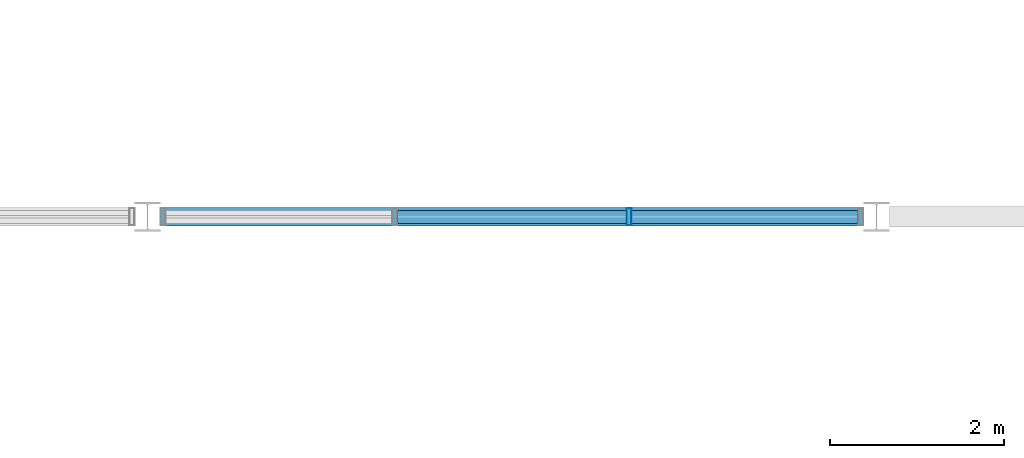
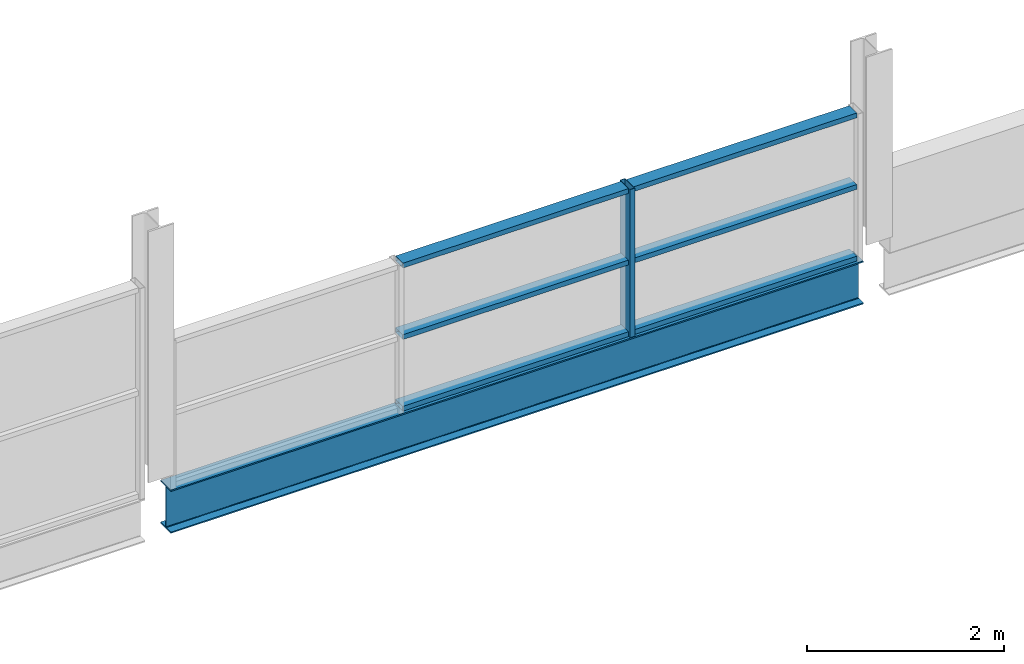
# One storey, part 15 of 43: 7 members, 1 beam, 1 element without a shape of its own.
"""IFC4 building model written with IfcOpenShell, lengths in metres."""

from ifc_helpers import new_model, si_unit, direction, frame, origin, origin_2d, place, context, subcontext, project, spatial, hollow_rectangle, i_section, extrude, material, material_profile, profile_set, type_object, element, aggregate, save


model = new_model("IFC4")

# Units and contexts
model_context = context("Model", 3, precision=1e-05, world=origin(), true_north=direction((0.0, 1.0)))
body_context = subcontext(model_context, "Body", "Model", "MODEL_VIEW")
ifc_project = project(units=[si_unit("LENGTHUNIT", "METRE"), si_unit("AREAUNIT", "SQUARE_METRE"), si_unit("VOLUMEUNIT", "CUBIC_METRE"), si_unit("PLANEANGLEUNIT", "RADIAN"), si_unit("MASSUNIT", "GRAM", prefix="KILO"), si_unit("THERMODYNAMICTEMPERATUREUNIT", "KELVIN")], contexts=[model_context])

# Site, building, storey
site_placement = place(None, origin())
site = spatial("IfcSite", under=ifc_project, at=site_placement, CompositionType="ELEMENT")
building_placement = place(site_placement, origin())
building = spatial("IfcBuilding", under=site, at=building_placement, Name="Nduvali Passage Aquatics Centre", CompositionType="ELEMENT")
storey_placement = place(building_placement, frame((0.0, 0.0, 17.39990234375)))
storey = spatial("IfcBuildingStorey", under=building, at=storey_placement, Name="L04", CompositionType="ELEMENT", Elevation=17.39990234375)

# Curtain wall, members
ifc_material_1 = material(Name="Aluminium EN AW-6063 T6", Category="aluminium")
curtain_wall_type = type_object("IfcCurtainWallType", Name="ENV-CW-DIVE", PredefinedType="NOTDEFINED", material=ifc_material_1)
curtain_wall_placement = place(storey_placement, origin())
curtain_wall = element("IfcCurtainWall", 1, at=curtain_wall_placement, inside=storey, type_object=curtain_wall_type, Name="L04 Diving Upper Mid Clerestory CW 162", PredefinedType="NOTDEFINED")
ifc_material_profile_1 = material_profile(ifc_material_1, hollow_rectangle(XDim=0.06005859375, YDim=0.199951171875, WallThickness=0.00390625, at=origin_2d()), Name="ALU MULLION 60x200x4")
ifc_profile_set_1 = profile_set([ifc_material_profile_1], Name="Aluminium EN AW-6063 T6")
member_type_1 = type_object("IfcMemberType", Name="ENV-MEM-MUL80", PredefinedType="MULLION", material=ifc_profile_set_1)
member_1_placement = place(storey_placement, frame((13.949951171875, 84.0, -0.22998046875), z_axis=(0.0, 0.0, 1.0), x_axis=(1.0, 0.0, 0.0)))
member_1 = element("IfcMember", 2, at=member_1_placement, type_object=member_type_1, Name="Diving Upper Mid Clerestory CW Mullion 3", PredefinedType="MULLION", context=body_context, shape_type="SweptSolid", body=[
    extrude(hollow_rectangle(XDim=0.06005859375, YDim=0.199951171875, WallThickness=0.00390625, at=origin_2d()), origin(), (0.0, 0.0, 1.0), 1.830078125),
])
ifc_material_profile_2 = material_profile(ifc_material_1, hollow_rectangle(XDim=0.14990234375, YDim=0.06005859375, WallThickness=0.00390625, at=origin_2d()), Name="ALU TRANSOM 150x60x4")
ifc_profile_set_2 = profile_set([ifc_material_profile_2], Name="Aluminium EN AW-6063 T6")
member_type_2 = type_object("IfcMemberType", Name="ENV-MEM-TRN80", PredefinedType="USERDEFINED", material=ifc_profile_set_2)
member_2_placement = place(storey_placement, frame((11.280029296875, 84.0, -0.199951171875), z_axis=(1.0, 0.0, 0.0), x_axis=(0.0, 1.0, 0.0)))
member_2 = element("IfcMember", 3, at=member_2_placement, type_object=member_type_2, Name="Diving Upper Mid Clerestory CW Transom B2-R0", ObjectType="TRANSOM", PredefinedType="USERDEFINED", context=body_context, shape_type="SweptSolid", body=[
    extrude(hollow_rectangle(XDim=0.14990234375, YDim=0.06005859375, WallThickness=0.00390625, at=origin_2d()), origin(), (0.0, 0.0, 1.0), 2.639892578125),
])
member_3_placement = place(storey_placement, frame((11.280029296875, 84.0, 0.68505859375), z_axis=(1.0, 0.0, 0.0), x_axis=(0.0, 1.0, 0.0)))
member_3 = element("IfcMember", 4, at=member_3_placement, type_object=member_type_2, Name="Diving Upper Mid Clerestory CW Transom B2-R1", ObjectType="TRANSOM", PredefinedType="USERDEFINED", context=body_context, shape_type="SweptSolid", body=[
    extrude(hollow_rectangle(XDim=0.14990234375, YDim=0.06005859375, WallThickness=0.00390625, at=origin_2d()), origin(), (0.0, 0.0, 1.0), 2.639892578125),
])
member_4_placement = place(storey_placement, frame((11.280029296875, 84.0, 1.570068359375), z_axis=(1.0, 0.0, 0.0), x_axis=(0.0, 1.0, 0.0)))
member_4 = element("IfcMember", 5, at=member_4_placement, type_object=member_type_2, Name="Diving Upper Mid Clerestory CW Transom B2-R2", ObjectType="TRANSOM", PredefinedType="USERDEFINED", context=body_context, shape_type="SweptSolid", body=[
    extrude(hollow_rectangle(XDim=0.14990234375, YDim=0.06005859375, WallThickness=0.00390625, at=origin_2d()), origin(), (0.0, 0.0, 1.0), 2.639892578125),
])
member_5_placement = place(storey_placement, frame((13.97998046875, 84.0, -0.199951171875), z_axis=(1.0, 0.0, 0.0), x_axis=(0.0, 1.0, 0.0)))
member_5 = element("IfcMember", 6, at=member_5_placement, type_object=member_type_2, Name="Diving Upper Mid Clerestory CW Transom B3-R0", ObjectType="TRANSOM", PredefinedType="USERDEFINED", context=body_context, shape_type="SweptSolid", body=[
    extrude(hollow_rectangle(XDim=0.14990234375, YDim=0.06005859375, WallThickness=0.00390625, at=origin_2d()), origin(), (0.0, 0.0, 1.0), 2.610107421875),
])
member_6_placement = place(storey_placement, frame((13.97998046875, 84.0, 0.68505859375), z_axis=(1.0, 0.0, 0.0), x_axis=(0.0, 1.0, 0.0)))
member_6 = element("IfcMember", 7, at=member_6_placement, type_object=member_type_2, Name="Diving Upper Mid Clerestory CW Transom B3-R1", ObjectType="TRANSOM", PredefinedType="USERDEFINED", context=body_context, shape_type="SweptSolid", body=[
    extrude(hollow_rectangle(XDim=0.14990234375, YDim=0.06005859375, WallThickness=0.00390625, at=origin_2d()), origin(), (0.0, 0.0, 1.0), 2.610107421875),
])
member_7_placement = place(storey_placement, frame((13.97998046875, 84.0, 1.570068359375), z_axis=(1.0, 0.0, 0.0), x_axis=(0.0, 1.0, 0.0)))
member_7 = element("IfcMember", 8, at=member_7_placement, type_object=member_type_2, Name="Diving Upper Mid Clerestory CW Transom B3-R2", ObjectType="TRANSOM", PredefinedType="USERDEFINED", context=body_context, shape_type="SweptSolid", body=[
    extrude(hollow_rectangle(XDim=0.14990234375, YDim=0.06005859375, WallThickness=0.00390625, at=origin_2d()), origin(), (0.0, 0.0, 1.0), 2.610107421875),
])
aggregate(curtain_wall, [member_1, member_2, member_3, member_4, member_5, member_6, member_7])

# Beam
ifc_material_2 = material(Name="Steel S355", Category="steel")
ifc_material_profile_3 = material_profile(ifc_material_2, i_section(OverallWidth=0.209228515625, OverallDepth=0.533203125, WebThickness=0.010009765625, FlangeThickness=0.015625, FilletRadius=0.0126953125, at=origin_2d()), Name="UKB 533x210x92")
ifc_profile_set_3 = profile_set([ifc_material_profile_3], Name="Steel S355")
beam_type = type_object("IfcBeamType", Name="STR-BM-UKB533L", PredefinedType="BEAM", material=ifc_profile_set_3)
beam_placement = place(storey_placement, frame((8.550048828125, 84.0, -0.50048828125), z_axis=(1.0, 0.0, 0.0), x_axis=(0.0, 1.0, 0.0)))
element("IfcBeam", 9, at=beam_placement, inside=storey, type_object=beam_type, Name="L04 Primary X-Girder B6A-1331", PredefinedType="BEAM", context=body_context, shape_type="SweptSolid", body=[
    extrude(i_section(OverallWidth=0.209228515625, OverallDepth=0.533203125, WebThickness=0.010009765625, FlangeThickness=0.015625, FilletRadius=0.0126953125, at=origin_2d()), origin(), (0.0, 0.0, 1.0), 8.099853515625),
])

save(model, "model.ifc")
